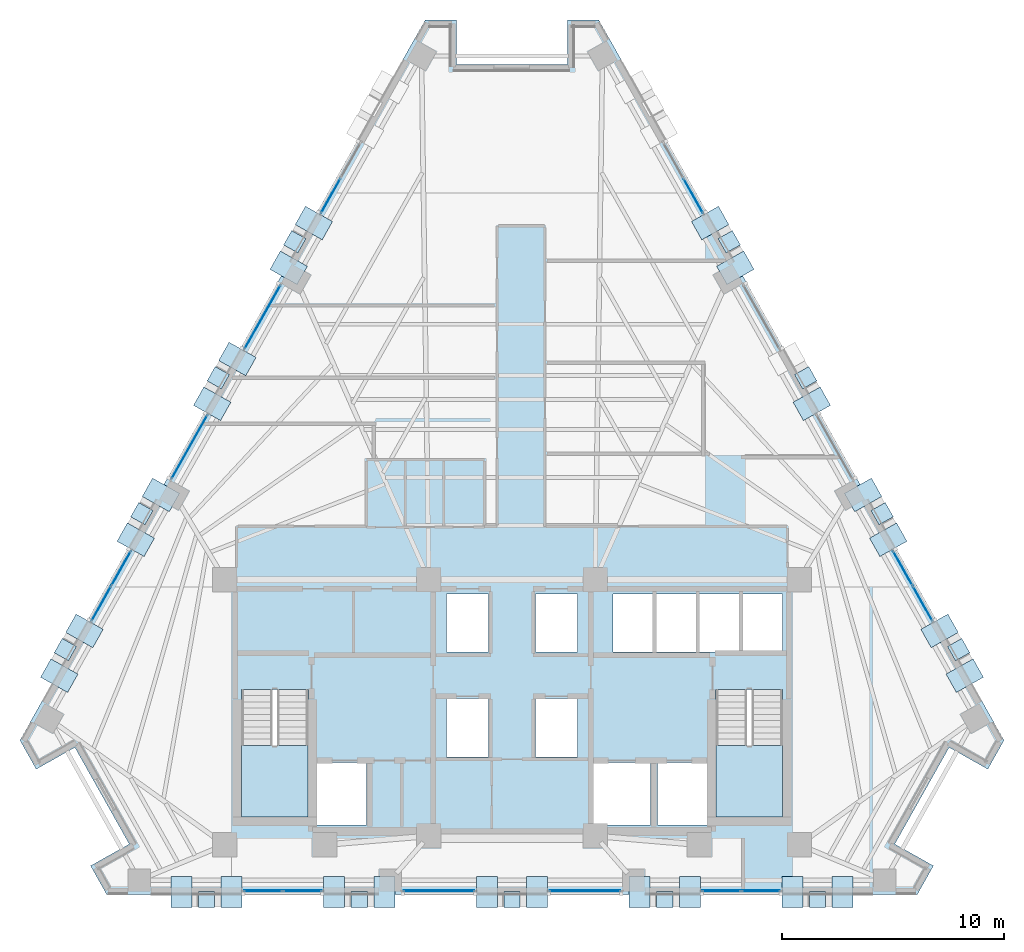
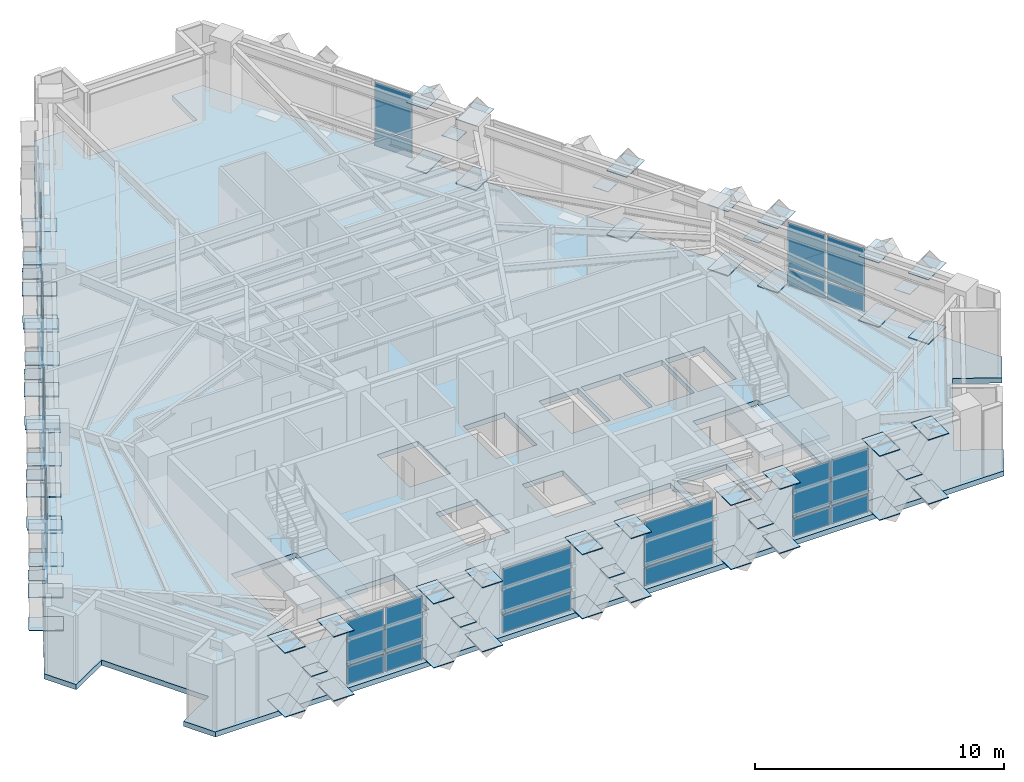
# One storey, part 6 of 14: 91 plates, 3 slabs, 12 elements without a shape of their own.
"""IFC4 building model written with IfcOpenShell, lengths in metres."""

import ifcopenshell
import ifcopenshell.guid

model = None  # the IFC model being written
_history = None  # IfcOwnerHistory: only IFC2X3 demands one
_inside = {}  # id of a spatial element -> (the spatial element, [elements in it])
_under = {}  # id of a project, library or spatial element -> (it, [spatial elements below it])
_declared = {}  # id of a project -> (the project, [libraries it declares])
_typed = {}  # id of a type object -> (the type object, [elements of that type])
_made_of = {}  # id of a material, layer set ... -> (it, [elements and type objects made of it])


def new_model(schema):
    """Start an empty IFC model of exactly this schema.

    Asked for "IFC4X3", IfcOpenShell would pick the latest addendum, in which some entities
    have other attributes; the version numbers below select the first issue.
    IFC2X3 requires an IfcOwnerHistory on every rooted entity: one is made here for all.
    """
    global model, _history
    if schema == "IFC4X3":
        model = ifcopenshell.file(schema_version=(4, 3, 0, 0))
    else:
        model = ifcopenshell.file(schema=schema)
    _inside.clear()
    _under.clear()
    _declared.clear()
    _typed.clear()
    _made_of.clear()
    _history = None
    if model.schema == "IFC2X3":
        org = make("IfcOrganization", Name="unknown")
        user = make(
            "IfcPersonAndOrganization",
            ThePerson=make("IfcPerson", FamilyName="unknown"),
            TheOrganization=org,
        )
        app = make(
            "IfcApplication",
            ApplicationDeveloper=org,
            Version="unknown",
            ApplicationFullName="unknown",
            ApplicationIdentifier="unknown",
        )
        _history = make(
            "IfcOwnerHistory",
            OwningUser=user,
            OwningApplication=app,
            ChangeAction="ADDED",
            CreationDate=0,
        )
    return model


def make(cls, **values):
    """One entity of the class cls with the attributes given. An attribute that is None is left unset."""
    return model.create_entity(
        cls, **{name: value for name, value in values.items() if value is not None}
    )


def rooted(cls, **values):
    """An entity with a GlobalId (a new one), such as an element, a storey or a relation."""
    return make(cls, GlobalId=ifcopenshell.guid.new(), OwnerHistory=_history, **values)


def si_unit(unit_type, name, prefix=None):
    """IfcSIUnit, for example si_unit("LENGTHUNIT", "METRE", prefix="MILLI")."""
    return make("IfcSIUnit", UnitType=unit_type, Prefix=prefix, Name=name)


def assignment(units):
    """IfcUnitAssignment: the units of a project."""
    return None if units is None else make("IfcUnitAssignment", Units=units)


def point(xyz):
    """IfcCartesianPoint."""
    return None if xyz is None else make("IfcCartesianPoint", Coordinates=xyz)


def direction(xyz):
    """IfcDirection."""
    return None if xyz is None else make("IfcDirection", DirectionRatios=xyz)


def frame(location, z_axis=None, x_axis=None):
    """IfcAxis2Placement3D, a coordinate frame: its origin and axes. An axis left out is left unset."""
    return make(
        "IfcAxis2Placement3D",
        Location=point(location),
        Axis=direction(z_axis),
        RefDirection=direction(x_axis),
    )


def frame_2d(location, x_axis=None):
    """IfcAxis2Placement2D, a coordinate frame in the plane: its origin and x axis."""
    return make(
        "IfcAxis2Placement2D", Location=point(location), RefDirection=direction(x_axis)
    )


def origin():
    """The frame at (0, 0, 0) with its axes left unset."""
    return frame((0.0, 0.0, 0.0))


def origin_2d():
    """The frame at (0, 0) in the plane with its x axis left unset."""
    return frame_2d((0.0, 0.0))


def place(relative_to, where):
    """IfcLocalPlacement: puts the frame where relative to a parent placement (None: the world)."""
    return make(
        "IfcLocalPlacement", PlacementRelTo=relative_to, RelativePlacement=where
    )


def context(
    kind, dimensions, precision=None, world=None, true_north=None, identifier=None
):
    """IfcGeometricRepresentationContext, for example the 3D "Model" context."""
    return make(
        "IfcGeometricRepresentationContext",
        ContextIdentifier=identifier,
        ContextType=kind,
        CoordinateSpaceDimension=dimensions,
        Precision=precision,
        WorldCoordinateSystem=world,
        TrueNorth=true_north,
    )


def subcontext(parent, identifier, kind, view, scale=None):
    """IfcGeometricRepresentationSubContext, for example "Body" below "Model"."""
    return make(
        "IfcGeometricRepresentationSubContext",
        ContextIdentifier=identifier,
        ContextType=kind,
        ParentContext=parent,
        TargetScale=scale,
        TargetView=view,
    )


def project(units=None, contexts=None):
    """IfcProject with its units and contexts."""
    return rooted(
        "IfcProject",
        Name="project",
        RepresentationContexts=contexts,
        UnitsInContext=assignment(units),
    )


def spatial(cls, under=None, at=None, **own):
    """A site, building, storey or space (cls), placed at a placement, below another one or the project."""
    s = rooted(cls, ObjectPlacement=at, **own)
    if under is not None:
        _under.setdefault(under.id(), (under, []))[1].append(s)
    return s


def polyline(points):
    """IfcPolyline through the points."""
    return make("IfcPolyline", Points=[point(p) for p in points])


def profile(cls, at=None, kind="AREA", **sizes):
    """A parametric profile (cls). Its sizes go by their IFC names, for example OverallWidth=200.0."""
    return make(cls, ProfileType=kind, Position=at, **sizes)


def rectangle(**sizes):
    """IfcRectangleProfileDef."""
    return profile("IfcRectangleProfileDef", **sizes)


def outline(outer, holes=None, kind="AREA"):
    """IfcArbitraryClosedProfileDef: a profile drawn as a closed curve; with holes, ...WithVoids."""
    if holes is None:
        return make("IfcArbitraryClosedProfileDef", ProfileType=kind, OuterCurve=outer)
    return make(
        "IfcArbitraryProfileDefWithVoids",
        ProfileType=kind,
        OuterCurve=outer,
        InnerCurves=holes,
    )


def extrude(swept, where, along, depth):
    """IfcExtrudedAreaSolid: the profile swept, set in the frame where, extruded along a direction by depth."""
    return make(
        "IfcExtrudedAreaSolid",
        SweptArea=swept,
        Position=where,
        ExtrudedDirection=direction(along),
        Depth=depth,
    )


def shape(context_of_items, identifier, shape_type, items):
    """IfcShapeRepresentation: the items that make up one representation, for example the "Body"."""
    return make(
        "IfcShapeRepresentation",
        ContextOfItems=context_of_items,
        RepresentationIdentifier=identifier,
        RepresentationType=shape_type,
        Items=items,
    )


def material(Name=None, Category=None):
    """IfcMaterial."""
    return make("IfcMaterial", Name=Name, Category=Category)


def layer(
    of_material, thickness, ventilated=None, Name=None, Category=None, Priority=None
):
    """IfcMaterialLayer: one layer of a wall or slab, of a material (None: an air gap)."""
    return make(
        "IfcMaterialLayer",
        Material=of_material,
        LayerThickness=thickness,
        IsVentilated=ventilated,
        Name=Name,
        Category=Category,
        Priority=Priority,
    )


def layer_set(layers, Name=None):
    """IfcMaterialLayerSet."""
    return make("IfcMaterialLayerSet", MaterialLayers=layers, LayerSetName=Name)


def made_of(thing, what):
    """Note that an element or type object is made of a material, layer set ...; save() writes the relation."""
    if what is not None:
        _made_of.setdefault(what.id(), (what, []))[1].append(thing)
    return thing


def type_object(cls, material=None, **own):
    """A type object (cls), such as IfcWallType, which elements share."""
    return made_of(rooted(cls, **own), material)


def element(
    cls,
    number,
    at=None,
    inside=None,
    cuts=None,
    type_object=None,
    material=None,
    context=None,
    identifier="Body",
    shape_type=None,
    held_by="IfcProductDefinitionShape",
    body=None,
    shapes=None,
    **own,
):
    """One element of the class cls, such as IfcWall. Its Tag is "e" and its number.

    at: its placement. inside: the storey or other place that contains it. cuts: it is an
    opening in that element (IfcRelVoidsElement). A single representation is given by context,
    identifier, shape_type and body (its items); several are given by shapes. held_by: the class
    of the entity that holds the representations. save() writes the other relations.
    """
    e = rooted(cls, Tag="e%d" % number, ObjectPlacement=at, **own)
    if body is not None:
        shapes = [shape(context, identifier, shape_type, body)]
    if shapes is not None:
        e.Representation = make(held_by, Representations=shapes)
    if inside is not None:
        _inside.setdefault(inside.id(), (inside, []))[1].append(e)
    if cuts is not None:
        rooted(
            "IfcRelVoidsElement", RelatingBuildingElement=cuts, RelatedOpeningElement=e
        )
    if type_object is not None:
        _typed.setdefault(type_object.id(), (type_object, []))[1].append(e)
    return made_of(e, material)


def aggregate(whole, parts):
    """IfcRelAggregates: a whole, such as a stair, and the parts it consists of."""
    return rooted("IfcRelAggregates", RelatingObject=whole, RelatedObjects=parts)


def save(model, path):
    """Write the relations noted so far, then the file.

    IfcRelAggregates (storeys below a building ...), IfcRelContainedInSpatialStructure (elements
    in a storey), IfcRelDefinesByType, IfcRelAssociatesMaterial and IfcRelDeclares: one each for
    every whole, place, type object, material and project.
    """
    for whole, parts in _under.values():
        aggregate(whole, parts)
    for where, things in _inside.values():
        rooted(
            "IfcRelContainedInSpatialStructure",
            RelatedElements=things,
            RelatingStructure=where,
        )
    for kind, things in _typed.values():
        rooted("IfcRelDefinesByType", RelatedObjects=things, RelatingType=kind)
    for what, things in _made_of.values():
        rooted("IfcRelAssociatesMaterial", RelatedObjects=things, RelatingMaterial=what)
    for by, libraries in _declared.values():
        rooted("IfcRelDeclares", RelatingContext=by, RelatedDefinitions=libraries)
    model.write(path)


model = new_model("IFC4")

# Units and contexts
model_context = context("Model", 3, precision=1e-05, world=origin(), true_north=direction((0.0, 1.0)))
body_context = subcontext(model_context, "Body", "Model", "MODEL_VIEW")
ifc_project = project(units=[si_unit("LENGTHUNIT", "METRE"), si_unit("AREAUNIT", "SQUARE_METRE"), si_unit("VOLUMEUNIT", "CUBIC_METRE"), si_unit("PLANEANGLEUNIT", "RADIAN"), si_unit("MASSUNIT", "GRAM", prefix="KILO")], contexts=[model_context])

# Site, building, storey
site_placement = place(None, origin())
site = spatial("IfcSite", under=ifc_project, at=site_placement, CompositionType="ELEMENT")
building_placement = place(site_placement, origin())
building = spatial("IfcBuilding", under=site, at=building_placement, Name="Quenlor Broadcast Tower", CompositionType="ELEMENT")
storey_placement = place(building_placement, frame((0.0, 0.0, 133.5)))
storey = spatial("IfcBuildingStorey", under=building, at=storey_placement, Name="L36", CompositionType="ELEMENT", Elevation=133.5)

# Curtain wall, plates
ifc_material_1 = material(Name="Architectural Terracotta and Low-E Glazing", Category="masonry")
curtain_wall_type = type_object("IfcCurtainWallType", Name="Unitised Terracotta Curtain Wall System Z3", PredefinedType="NOTDEFINED", material=ifc_material_1)
curtain_wall_1_placement = place(storey_placement, origin())
curtain_wall_1 = element("IfcCurtainWall", 1, at=curtain_wall_1_placement, inside=storey, type_object=curtain_wall_type, Name="L36 Curtain Wall CW3 (L36-SA-G1)", PredefinedType="NOTDEFINED")
ifc_material_2 = material(Name="Double Glazed Low-E Solar Glass", Category="glass")
ifc_layer_1 = layer(ifc_material_2, 0.028076171875)
ifc_layer_set_1 = layer_set([ifc_layer_1], Name="CW3 Double Glazed Vision Panel 28")
plate_type_1 = type_object("IfcPlateType", Name="CW3 Double Glazed Vision Panel 28", PredefinedType="CURTAIN_PANEL", material=ifc_layer_set_1)
plate_1_placement = place(storey_placement, frame((11.222900390625, -18.824951171875, 0.06982421875), z_axis=(0.0, 0.0, 1.0), x_axis=(-1.0, 0.0, 0.0)))
plate_1 = element("IfcPlate", 2, at=plate_1_placement, type_object=plate_type_1, Name="CW3 panel 1.1", PredefinedType="CURTAIN_PANEL", context=body_context, shape_type="SweptSolid", body=[
    extrude(rectangle(XDim=1.7119140625, YDim=0.028076171875, at=origin_2d()), origin(), (0.0, 0.0, 1.0), 0.844970703125),
])
plate_2_placement = place(storey_placement, frame((11.222900390625, -18.824951171875, 0.98486328125), z_axis=(0.0, 0.0, 1.0), x_axis=(-1.0, 0.0, 0.0)))
plate_2 = element("IfcPlate", 3, at=plate_2_placement, type_object=plate_type_1, Name="CW3 panel 1.2", PredefinedType="CURTAIN_PANEL", context=body_context, shape_type="SweptSolid", body=[
    extrude(rectangle(XDim=1.7119140625, YDim=0.028076171875, at=origin_2d()), origin(), (0.0, 0.0, 1.0), 2.195068359375),
])
plate_3_placement = place(storey_placement, frame((9.44091796875, -18.824951171875, 0.06982421875), z_axis=(0.0, 0.0, 1.0), x_axis=(-1.0, 0.0, 0.0)))
plate_3 = element("IfcPlate", 4, at=plate_3_placement, type_object=plate_type_1, Name="CW3 panel 2.1", PredefinedType="CURTAIN_PANEL", context=body_context, shape_type="SweptSolid", body=[
    extrude(rectangle(XDim=1.7119140625, YDim=0.028076171875, at=origin_2d()), origin(), (0.0, 0.0, 1.0), 0.844970703125),
])
plate_4_placement = place(storey_placement, frame((9.44091796875, -18.824951171875, 0.98486328125), z_axis=(0.0, 0.0, 1.0), x_axis=(-1.0, 0.0, 0.0)))
plate_4 = element("IfcPlate", 5, at=plate_4_placement, type_object=plate_type_1, Name="CW3 panel 2.2", PredefinedType="CURTAIN_PANEL", context=body_context, shape_type="SweptSolid", body=[
    extrude(rectangle(XDim=1.7119140625, YDim=0.028076171875, at=origin_2d()), origin(), (0.0, 0.0, 1.0), 2.195068359375),
])
aggregate(curtain_wall_1, [plate_1, plate_2, plate_3, plate_4])

curtain_wall_2_placement = place(storey_placement, origin())
curtain_wall_2 = element("IfcCurtainWall", 6, at=curtain_wall_2_placement, inside=storey, type_object=curtain_wall_type, Name="L36 Curtain Wall CW3 (L36-SC-G1)", PredefinedType="NOTDEFINED")
plate_5_placement = place(storey_placement, frame((-9.44091796875, -18.824951171875, 0.06982421875), z_axis=(0.0, 0.0, 1.0), x_axis=(-1.0, 0.0, 0.0)))
plate_5 = element("IfcPlate", 7, at=plate_5_placement, type_object=plate_type_1, Name="CW3 panel 1.1", PredefinedType="CURTAIN_PANEL", context=body_context, shape_type="SweptSolid", body=[
    extrude(rectangle(XDim=1.7119140625, YDim=0.028076171875, at=origin_2d()), origin(), (0.0, 0.0, 1.0), 0.844970703125),
])
plate_6_placement = place(storey_placement, frame((-9.44091796875, -18.824951171875, 0.98486328125), z_axis=(0.0, 0.0, 1.0), x_axis=(-1.0, 0.0, 0.0)))
plate_6 = element("IfcPlate", 8, at=plate_6_placement, type_object=plate_type_1, Name="CW3 panel 1.2", PredefinedType="CURTAIN_PANEL", context=body_context, shape_type="SweptSolid", body=[
    extrude(rectangle(XDim=1.7119140625, YDim=0.028076171875, at=origin_2d()), origin(), (0.0, 0.0, 1.0), 2.195068359375),
])
plate_7_placement = place(storey_placement, frame((-11.222900390625, -18.824951171875, 0.06982421875), z_axis=(0.0, 0.0, 1.0), x_axis=(-1.0, 0.0, 0.0)))
plate_7 = element("IfcPlate", 9, at=plate_7_placement, type_object=plate_type_1, Name="CW3 panel 2.1", PredefinedType="CURTAIN_PANEL", context=body_context, shape_type="SweptSolid", body=[
    extrude(rectangle(XDim=1.7119140625, YDim=0.028076171875, at=origin_2d()), origin(), (0.0, 0.0, 1.0), 0.844970703125),
])
plate_8_placement = place(storey_placement, frame((-11.222900390625, -18.824951171875, 0.98486328125), z_axis=(0.0, 0.0, 1.0), x_axis=(-1.0, 0.0, 0.0)))
plate_8 = element("IfcPlate", 10, at=plate_8_placement, type_object=plate_type_1, Name="CW3 panel 2.2", PredefinedType="CURTAIN_PANEL", context=body_context, shape_type="SweptSolid", body=[
    extrude(rectangle(XDim=1.7119140625, YDim=0.028076171875, at=origin_2d()), origin(), (0.0, 0.0, 1.0), 2.195068359375),
])
aggregate(curtain_wall_2, [plate_5, plate_6, plate_7, plate_8])

curtain_wall_3_placement = place(storey_placement, origin())
curtain_wall_3 = element("IfcCurtainWall", 11, at=curtain_wall_3_placement, inside=storey, type_object=curtain_wall_type, Name="L36 Curtain Wall CW3 (L36-S-G1)", PredefinedType="NOTDEFINED")
plate_9_placement = place(storey_placement, frame((3.2939453125, -18.824951171875, 0.06982421875), z_axis=(0.0, 0.0, 1.0), x_axis=(-1.0, 0.0, 0.0)))
plate_9 = element("IfcPlate", 12, at=plate_9_placement, type_object=plate_type_1, Name="CW3 panel 1.1", PredefinedType="CURTAIN_PANEL", context=body_context, shape_type="SweptSolid", body=[
    extrude(rectangle(XDim=3.194091796875, YDim=0.028076171875, at=origin_2d()), origin(), (0.0, 0.0, 1.0), 0.844970703125),
])
plate_10_placement = place(storey_placement, frame((3.2939453125, -18.824951171875, 0.98486328125), z_axis=(0.0, 0.0, 1.0), x_axis=(-1.0, 0.0, 0.0)))
plate_10 = element("IfcPlate", 13, at=plate_10_placement, type_object=plate_type_1, Name="CW3 panel 1.2", PredefinedType="CURTAIN_PANEL", context=body_context, shape_type="SweptSolid", body=[
    extrude(rectangle(XDim=3.194091796875, YDim=0.028076171875, at=origin_2d()), origin(), (0.0, 0.0, 1.0), 2.195068359375),
])
aggregate(curtain_wall_3, [plate_9, plate_10])

curtain_wall_4_placement = place(storey_placement, origin())
curtain_wall_4 = element("IfcCurtainWall", 14, at=curtain_wall_4_placement, inside=storey, type_object=curtain_wall_type, Name="L36 Curtain Wall CW3 (L36-S-G2)", PredefinedType="NOTDEFINED")
plate_11_placement = place(storey_placement, frame((-3.2939453125, -18.824951171875, 0.06982421875), z_axis=(0.0, 0.0, 1.0), x_axis=(-1.0, 0.0, 0.0)))
plate_11 = element("IfcPlate", 15, at=plate_11_placement, type_object=plate_type_1, Name="CW3 panel 1.1", PredefinedType="CURTAIN_PANEL", context=body_context, shape_type="SweptSolid", body=[
    extrude(rectangle(XDim=3.194091796875, YDim=0.028076171875, at=origin_2d()), origin(), (0.0, 0.0, 1.0), 0.844970703125),
])
plate_12_placement = place(storey_placement, frame((-3.2939453125, -18.824951171875, 0.98486328125), z_axis=(0.0, 0.0, 1.0), x_axis=(-1.0, 0.0, 0.0)))
plate_12 = element("IfcPlate", 16, at=plate_12_placement, type_object=plate_type_1, Name="CW3 panel 1.2", PredefinedType="CURTAIN_PANEL", context=body_context, shape_type="SweptSolid", body=[
    extrude(rectangle(XDim=3.194091796875, YDim=0.028076171875, at=origin_2d()), origin(), (0.0, 0.0, 1.0), 2.195068359375),
])
aggregate(curtain_wall_4, [plate_11, plate_12])

curtain_wall_5_placement = place(storey_placement, origin())
curtain_wall_5 = element("IfcCurtainWall", 17, at=curtain_wall_5_placement, inside=storey, type_object=curtain_wall_type, Name="L36 Curtain Wall CW3 (L36-NEA-G1)", PredefinedType="NOTDEFINED")
plate_13_placement = place(storey_placement, frame((8.174560546875, 12.5107421875, 0.06982421875), z_axis=(0.0, 0.0, 1.0), x_axis=(0.490270139949, -0.871570530637, 0.0)))
plate_13 = element("IfcPlate", 18, at=plate_13_placement, type_object=plate_type_1, Name="CW3 panel 2.1", PredefinedType="CURTAIN_PANEL", context=body_context, shape_type="SweptSolid", body=[
    extrude(rectangle(XDim=1.761962890625, YDim=0.028076171875, at=origin_2d()), origin(), (0.0, 0.0, 1.0), 0.844970703125),
])
plate_14_placement = place(storey_placement, frame((8.174560546875, 12.5107421875, 0.98486328125), z_axis=(0.0, 0.0, 1.0), x_axis=(0.490270139949, -0.871570530637, 0.0)))
plate_14 = element("IfcPlate", 19, at=plate_14_placement, type_object=plate_type_1, Name="CW3 panel 2.2", PredefinedType="CURTAIN_PANEL", context=body_context, shape_type="SweptSolid", body=[
    extrude(rectangle(XDim=1.761962890625, YDim=0.028076171875, at=origin_2d()), origin(), (0.0, 0.0, 1.0), 2.195068359375),
])
aggregate(curtain_wall_5, [plate_13, plate_14])

curtain_wall_6_placement = place(storey_placement, origin())
curtain_wall_6 = element("IfcCurtainWall", 20, at=curtain_wall_6_placement, inside=storey, type_object=curtain_wall_type, Name="L36 Curtain Wall CW3 (L36-NEC-G1)", PredefinedType="NOTDEFINED")
plate_15_placement = place(storey_placement, frame((17.62060546875, -4.2822265625, 0.06982421875), z_axis=(0.0, 0.0, 1.0), x_axis=(0.490258696743, -0.871576967495, 0.0)))
plate_15 = element("IfcPlate", 21, at=plate_15_placement, type_object=plate_type_1, Name="CW3 panel 1.1", PredefinedType="CURTAIN_PANEL", context=body_context, shape_type="SweptSolid", body=[
    extrude(rectangle(XDim=1.761962890625, YDim=0.028076171875, at=origin_2d()), origin(), (0.0, 0.0, 1.0), 0.844970703125),
])
plate_16_placement = place(storey_placement, frame((17.62060546875, -4.2822265625, 0.98486328125), z_axis=(0.0, 0.0, 1.0), x_axis=(0.490258696743, -0.871576967495, 0.0)))
plate_16 = element("IfcPlate", 22, at=plate_16_placement, type_object=plate_type_1, Name="CW3 panel 1.2", PredefinedType="CURTAIN_PANEL", context=body_context, shape_type="SweptSolid", body=[
    extrude(rectangle(XDim=1.761962890625, YDim=0.028076171875, at=origin_2d()), origin(), (0.0, 0.0, 1.0), 2.195068359375),
])
plate_17_placement = place(storey_placement, frame((18.518798828125, -5.879150390625, 0.06982421875), z_axis=(0.0, 0.0, 1.0), x_axis=(0.490258696743, -0.871576967495, 0.0)))
plate_17 = element("IfcPlate", 23, at=plate_17_placement, type_object=plate_type_1, Name="CW3 panel 2.1", PredefinedType="CURTAIN_PANEL", context=body_context, shape_type="SweptSolid", body=[
    extrude(rectangle(XDim=1.761962890625, YDim=0.028076171875, at=origin_2d()), origin(), (0.0, 0.0, 1.0), 0.844970703125),
])
plate_18_placement = place(storey_placement, frame((18.518798828125, -5.879150390625, 0.98486328125), z_axis=(0.0, 0.0, 1.0), x_axis=(0.490258696743, -0.871576967495, 0.0)))
plate_18 = element("IfcPlate", 24, at=plate_18_placement, type_object=plate_type_1, Name="CW3 panel 2.2", PredefinedType="CURTAIN_PANEL", context=body_context, shape_type="SweptSolid", body=[
    extrude(rectangle(XDim=1.761962890625, YDim=0.028076171875, at=origin_2d()), origin(), (0.0, 0.0, 1.0), 2.195068359375),
])
aggregate(curtain_wall_6, [plate_15, plate_16, plate_17, plate_18])

curtain_wall_7_placement = place(storey_placement, origin())
curtain_wall_7 = element("IfcCurtainWall", 25, at=curtain_wall_7_placement, inside=storey, type_object=curtain_wall_type, Name="L36 Curtain Wall CW3 (L36-NWA-G1)", PredefinedType="NOTDEFINED")
plate_19_placement = place(storey_placement, frame((-18.518798828125, -5.879150390625, 0.06982421875), z_axis=(0.0, 0.0, 1.0), x_axis=(0.490258696743, 0.871576967495, 0.0)))
plate_19 = element("IfcPlate", 26, at=plate_19_placement, type_object=plate_type_1, Name="CW3 panel 1.1", PredefinedType="CURTAIN_PANEL", context=body_context, shape_type="SweptSolid", body=[
    extrude(rectangle(XDim=1.761962890625, YDim=0.028076171875, at=origin_2d()), origin(), (0.0, 0.0, 1.0), 0.844970703125),
])
plate_20_placement = place(storey_placement, frame((-18.518798828125, -5.879150390625, 0.98486328125), z_axis=(0.0, 0.0, 1.0), x_axis=(0.490258696743, 0.871576967495, 0.0)))
plate_20 = element("IfcPlate", 27, at=plate_20_placement, type_object=plate_type_1, Name="CW3 panel 1.2", PredefinedType="CURTAIN_PANEL", context=body_context, shape_type="SweptSolid", body=[
    extrude(rectangle(XDim=1.761962890625, YDim=0.028076171875, at=origin_2d()), origin(), (0.0, 0.0, 1.0), 2.195068359375),
])
plate_21_placement = place(storey_placement, frame((-17.62060546875, -4.2822265625, 0.06982421875), z_axis=(0.0, 0.0, 1.0), x_axis=(0.490258696743, 0.871576967495, 0.0)))
plate_21 = element("IfcPlate", 28, at=plate_21_placement, type_object=plate_type_1, Name="CW3 panel 2.1", PredefinedType="CURTAIN_PANEL", context=body_context, shape_type="SweptSolid", body=[
    extrude(rectangle(XDim=1.761962890625, YDim=0.028076171875, at=origin_2d()), origin(), (0.0, 0.0, 1.0), 0.844970703125),
])
plate_22_placement = place(storey_placement, frame((-17.62060546875, -4.2822265625, 0.98486328125), z_axis=(0.0, 0.0, 1.0), x_axis=(0.490258696743, 0.871576967495, 0.0)))
plate_22 = element("IfcPlate", 29, at=plate_22_placement, type_object=plate_type_1, Name="CW3 panel 2.2", PredefinedType="CURTAIN_PANEL", context=body_context, shape_type="SweptSolid", body=[
    extrude(rectangle(XDim=1.761962890625, YDim=0.028076171875, at=origin_2d()), origin(), (0.0, 0.0, 1.0), 2.195068359375),
])
aggregate(curtain_wall_7, [plate_19, plate_20, plate_21, plate_22])

curtain_wall_8_placement = place(storey_placement, origin())
curtain_wall_8 = element("IfcCurtainWall", 30, at=curtain_wall_8_placement, inside=storey, type_object=curtain_wall_type, Name="L36 Curtain Wall CW3 (L36-NWC-G1)", PredefinedType="NOTDEFINED")
plate_23_placement = place(storey_placement, frame((-8.174560546875, 12.5107421875, 0.06982421875), z_axis=(0.0, 0.0, 1.0), x_axis=(0.490270139949, 0.871570530637, 0.0)))
plate_23 = element("IfcPlate", 31, at=plate_23_placement, type_object=plate_type_1, Name="CW3 panel 1.1", PredefinedType="CURTAIN_PANEL", context=body_context, shape_type="SweptSolid", body=[
    extrude(rectangle(XDim=1.761962890625, YDim=0.028076171875, at=origin_2d()), origin(), (0.0, 0.0, 1.0), 0.844970703125),
])
plate_24_placement = place(storey_placement, frame((-8.174560546875, 12.5107421875, 0.98486328125), z_axis=(0.0, 0.0, 1.0), x_axis=(0.490270139949, 0.871570530637, 0.0)))
plate_24 = element("IfcPlate", 32, at=plate_24_placement, type_object=plate_type_1, Name="CW3 panel 1.2", PredefinedType="CURTAIN_PANEL", context=body_context, shape_type="SweptSolid", body=[
    extrude(rectangle(XDim=1.761962890625, YDim=0.028076171875, at=origin_2d()), origin(), (0.0, 0.0, 1.0), 2.195068359375),
])
aggregate(curtain_wall_8, [plate_23, plate_24])

curtain_wall_9_placement = place(storey_placement, origin())
curtain_wall_9 = element("IfcCurtainWall", 33, at=curtain_wall_9_placement, inside=storey, type_object=curtain_wall_type, Name="L36 Curtain Wall CW3 (L36-NW-G1)", PredefinedType="NOTDEFINED")
plate_25_placement = place(storey_placement, frame((-14.544677734375, 1.18603515625, 0.06982421875), z_axis=(0.0, 0.0, 1.0), x_axis=(0.490268180048, 0.871571633105, 0.0)))
plate_25 = element("IfcPlate", 34, at=plate_25_placement, type_object=plate_type_1, Name="CW3 panel 1.1", PredefinedType="CURTAIN_PANEL", context=body_context, shape_type="SweptSolid", body=[
    extrude(rectangle(XDim=3.2802734375, YDim=0.028076171875, at=origin_2d()), origin(), (0.0, 0.0, 1.0), 0.844970703125),
])
plate_26_placement = place(storey_placement, frame((-14.544677734375, 1.18603515625, 0.98486328125), z_axis=(0.0, 0.0, 1.0), x_axis=(0.490268180048, 0.871571633105, 0.0)))
plate_26 = element("IfcPlate", 35, at=plate_26_placement, type_object=plate_type_1, Name="CW3 panel 1.2", PredefinedType="CURTAIN_PANEL", context=body_context, shape_type="SweptSolid", body=[
    extrude(rectangle(XDim=3.2802734375, YDim=0.028076171875, at=origin_2d()), origin(), (0.0, 0.0, 1.0), 2.195068359375),
])
aggregate(curtain_wall_9, [plate_25, plate_26])

curtain_wall_10_placement = place(storey_placement, origin())
curtain_wall_10 = element("IfcCurtainWall", 36, at=curtain_wall_10_placement, inside=storey, type_object=curtain_wall_type, Name="L36 Curtain Wall CW3 (L36-NW-G2)", PredefinedType="NOTDEFINED")
plate_27_placement = place(storey_placement, frame((-11.250244140625, 7.04248046875, 0.06982421875), z_axis=(0.0, 0.0, 1.0), x_axis=(0.490255687418, 0.871578660222, 0.0)))
plate_27 = element("IfcPlate", 37, at=plate_27_placement, type_object=plate_type_1, Name="CW3 panel 1.1", PredefinedType="CURTAIN_PANEL", context=body_context, shape_type="SweptSolid", body=[
    extrude(rectangle(XDim=3.280517578125, YDim=0.028076171875, at=origin_2d()), origin(), (0.0, 0.0, 1.0), 0.844970703125),
])
plate_28_placement = place(storey_placement, frame((-11.250244140625, 7.04248046875, 0.98486328125), z_axis=(0.0, 0.0, 1.0), x_axis=(0.490255687418, 0.871578660222, 0.0)))
plate_28 = element("IfcPlate", 38, at=plate_28_placement, type_object=plate_type_1, Name="CW3 panel 1.2", PredefinedType="CURTAIN_PANEL", context=body_context, shape_type="SweptSolid", body=[
    extrude(rectangle(XDim=3.280517578125, YDim=0.028076171875, at=origin_2d()), origin(), (0.0, 0.0, 1.0), 2.195068359375),
])
aggregate(curtain_wall_10, [plate_27, plate_28])

# Plates
ifc_material_3 = material(Name="Steel S355", Category="steel")
ifc_layer_2 = layer(ifc_material_3, 0.028076171875)
ifc_layer_set_2 = layer_set([ifc_layer_2], Name="Perimeter Lattice Node Steel S355 Cap Plate 740x740x28")
plate_type_2 = type_object("IfcPlateType", Name="Perimeter Lattice Node Steel S355 Cap Plate 740x740x28", PredefinedType="USERDEFINED", material=ifc_layer_set_2)
for number, where, z_axis, x_axis, name in (
    (39, (13.77587890625, -19.219970703125, 1.61572265625), (0.0, 0.0, 1.0), (-1.0, 0.0, 0.0), "L36 Diamond Lattice Crossing Node S-C1"),
    (40, (6.887939453125, -19.219970703125, 1.61572265625), (0.0, 0.0, 1.0), (-1.0, 0.0, 0.0), "L36 Diamond Lattice Crossing Node S-C2"),
    (41, (0.0, -19.219970703125, 1.61572265625), (0.0, 0.0, 1.0), (-1.0, 0.0, 0.0), "L36 Diamond Lattice Crossing Node S-C3"),
    (42, (-6.887939453125, -19.219970703125, 1.61572265625), (0.0, 0.0, 1.0), (-1.0, 0.0, 0.0), "L36 Diamond Lattice Crossing Node S-C4"),
    (43, (-13.77587890625, -19.219970703125, 1.61572265625), (0.0, 0.0, 1.0), (-1.0, 0.0, 0.0), "L36 Diamond Lattice Crossing Node S-C5"),
    (44, (9.793701171875, 10.437744140625, 1.61572265625), (0.0, 0.0, 1.0), (0.490295412055, -0.871556314255, 0.0), "L36 Diamond Lattice Crossing Node NE-C2"),
    (45, (13.24169921875, 4.307861328125, 1.61572265625), (0.0, 0.0, 1.0), (0.490295412055, -0.871556314255, 0.0), "L36 Diamond Lattice Crossing Node NE-C3"),
    (46, (16.689697265625, -1.822021484375, 1.61572265625), (0.0, 0.0, 1.0), (0.490295412055, -0.871556314255, 0.0), "L36 Diamond Lattice Crossing Node NE-C4"),
    (47, (20.137939453125, -7.951904296875, 1.61572265625), (0.0, 0.0, 1.0), (0.490295412055, -0.871556314255, 0.0), "L36 Diamond Lattice Crossing Node NE-C5"),
    (48, (-20.137939453125, -7.951904296875, 1.61572265625), (0.0, 0.0, 1.0), (0.490295412055, 0.871556314255, 0.0), "L36 Diamond Lattice Crossing Node NW-C1"),
    (49, (-16.689697265625, -1.822021484375, 1.61572265625), (0.0, 0.0, 1.0), (0.490295412055, 0.871556314255, 0.0), "L36 Diamond Lattice Crossing Node NW-C2"),
    (50, (-13.24169921875, 4.307861328125, 1.61572265625), (0.0, 0.0, 1.0), (0.490295412055, 0.871556314255, 0.0), "L36 Diamond Lattice Crossing Node NW-C3"),
    (51, (-9.793701171875, 10.437744140625, 1.61572265625), (0.0, 0.0, 1.0), (0.490295412055, 0.871556314255, 0.0), "L36 Diamond Lattice Crossing Node NW-C4"),
):
    element("IfcPlate", number, at=place(storey_placement, frame(where, z_axis=z_axis, x_axis=x_axis)), inside=storey, type_object=plate_type_2, Name=name, ObjectType="CAP PLATE", PredefinedType="USERDEFINED", context=body_context, shape_type="SweptSolid", body=[
        extrude(rectangle(XDim=0.739990234375, YDim=0.739990234375, at=origin_2d()), origin(), (0.0, 0.0, 1.0), 0.028076171875),
    ])

# Stair, slab
ifc_material_4 = material(Name="Precast concrete C40/50", Category="concrete")
stair_type = type_object("IfcStairType", Name="Precast Concrete C40/50 Dogleg Stair H350", PredefinedType="HALF_TURN_STAIR", material=ifc_material_4)
stair_1_placement = place(storey_placement, origin())
stair_1 = element("IfcStair", 52, at=stair_1_placement, inside=storey, type_object=stair_type, Name="L36 West Core Fire-Isolated Exit Stair ST-1", PredefinedType="HALF_TURN_STAIR")
ifc_material_5 = material(Name="Precast concrete C40/50", Category="concrete")
ifc_layer_3 = layer(ifc_material_5, 0.199951171875)
ifc_layer_set_3 = layer_set([ifc_layer_3], Name="Precast Concrete C40/50 Stair Landing Slab 200")
slab_type_1 = type_object("IfcSlabType", Name="Precast Concrete C40/50 Stair Landing Slab 200", PredefinedType="LANDING", material=ifc_layer_set_3)
slab_1_placement = place(storey_placement, frame((0.0, 0.0, 1.550048828125)))
slab_1 = element("IfcSlab", 53, at=slab_1_placement, type_object=slab_type_1, Name="ST-1 landing 1", PredefinedType="LANDING", context=body_context, shape_type="SweptSolid", body=[
    extrude(outline(polyline([(-12.199951171875, -12.27001953125), (-12.199951171875, -15.5), (-9.199951171875, -15.5), (-9.199951171875, -12.27001953125), (-12.199951171875, -12.27001953125)])), origin(), (0.0, 0.0, 1.0), 0.199951171875),
])
aggregate(stair_1, [slab_1])

stair_2_placement = place(storey_placement, origin())
stair_2 = element("IfcStair", 54, at=stair_2_placement, inside=storey, type_object=stair_type, Name="L36 East Core Fire-Isolated Exit Stair ST-2", PredefinedType="HALF_TURN_STAIR")
slab_2_placement = place(storey_placement, frame((0.0, 0.0, 1.550048828125)))
slab_2 = element("IfcSlab", 55, at=slab_2_placement, type_object=slab_type_1, Name="ST-2 landing 1", PredefinedType="LANDING", context=body_context, shape_type="SweptSolid", body=[
    extrude(outline(polyline([(9.199951171875, -12.27001953125), (9.199951171875, -15.5), (12.199951171875, -15.5), (12.199951171875, -12.27001953125), (9.199951171875, -12.27001953125)])), origin(), (0.0, 0.0, 1.0), 0.199951171875),
])
aggregate(stair_2, [slab_2])

# Slab
ifc_material_6 = material(Name="Concrete C40/50", Category="concrete")
ifc_layer_4 = layer(ifc_material_6, 0.25)
ifc_layer_set_4 = layer_set([ifc_layer_4], Name="Tower Composite Concrete C40/50 Slab 250")
slab_type_2 = type_object("IfcSlabType", Name="Tower Composite Concrete C40/50 Slab 250", PredefinedType="FLOOR", material=ifc_layer_set_4)
slab_3_placement = place(storey_placement, frame((0.0, 0.0, -0.25)))
element("IfcSlab", 56, at=slab_3_placement, inside=storey, type_object=slab_type_2, Name="L36 Structural Floor Slab", PredefinedType="FLOOR", context=body_context, shape_type="SweptSolid", body=[
    extrude(outline(polyline([(18.27001953125, -19.0), (19.001708984375, -17.698974609375), (17.2587890625, -16.718505859375), (19.7099609375, -12.360595703125), (21.453125, -13.341064453125), (22.18505859375, -12.0400390625), (3.9150390625, 20.43994140625), (2.5, 20.43994140625), (2.5, 18.43994140625), (-2.5, 18.43994140625), (-2.5, 20.43994140625), (-3.9150390625, 20.43994140625), (-22.18505859375, -12.0400390625), (-21.453125, -13.341064453125), (-19.7099609375, -12.360595703125), (-17.2587890625, -16.718505859375), (-19.001708984375, -17.698974609375), (-18.27001953125, -19.0), (18.27001953125, -19.0)]), holes=[polyline([(-12.199951171875, -9.758056640625), (-12.199951171875, -15.5), (-9.199951171875, -15.5), (-9.199951171875, -9.758056640625), (-12.199951171875, -9.758056640625)]), polyline([(9.199951171875, -9.758056640625), (9.199951171875, -15.5), (12.199951171875, -15.5), (12.199951171875, -9.758056640625), (9.199951171875, -9.758056640625)]), polyline([(-2.949951171875, -8.050048828125), (-1.050048828125, -8.050048828125), (-1.050048828125, -5.449951171875), (-2.949951171875, -5.449951171875), (-2.949951171875, -8.050048828125)]), polyline([(1.050048828125, -8.050048828125), (2.949951171875, -8.050048828125), (2.949951171875, -5.449951171875), (1.050048828125, -5.449951171875), (1.050048828125, -8.050048828125)]), polyline([(-2.949951171875, -12.800048828125), (-1.050048828125, -12.800048828125), (-1.050048828125, -10.14990234375), (-2.949951171875, -10.14990234375), (-2.949951171875, -12.800048828125)]), polyline([(1.050048828125, -12.800048828125), (2.949951171875, -12.800048828125), (2.949951171875, -10.14990234375), (1.050048828125, -10.14990234375), (1.050048828125, -12.800048828125)]), polyline([(4.550048828125, -8.050048828125), (6.35009765625, -8.050048828125), (6.35009765625, -5.449951171875), (4.550048828125, -5.449951171875), (4.550048828125, -8.050048828125)]), polyline([(6.5, -8.050048828125), (8.300048828125, -8.050048828125), (8.300048828125, -5.449951171875), (6.5, -5.449951171875), (6.5, -8.050048828125)]), polyline([(8.449951171875, -8.050048828125), (10.25, -8.050048828125), (10.25, -5.449951171875), (8.449951171875, -5.449951171875), (8.449951171875, -8.050048828125)]), polyline([(10.39990234375, -8.050048828125), (12.199951171875, -8.050048828125), (12.199951171875, -5.449951171875), (10.39990234375, -5.449951171875), (10.39990234375, -8.050048828125)]), polyline([(-8.85009765625, -15.85009765625), (-6.550048828125, -15.85009765625), (-6.550048828125, -13.050048828125), (-8.85009765625, -13.050048828125), (-8.85009765625, -15.85009765625)]), polyline([(6.550048828125, -15.85009765625), (8.85009765625, -15.85009765625), (8.85009765625, -13.050048828125), (6.550048828125, -13.050048828125), (6.550048828125, -15.85009765625)]), polyline([(3.64990234375, -15.85009765625), (6.25, -15.85009765625), (6.25, -13.050048828125), (3.64990234375, -13.050048828125), (3.64990234375, -15.85009765625)])]), origin(), (0.0, 0.0, 1.0), 0.25),
])

# Plates
ifc_material_7 = material(Name="Steel S355", Category="steel")
ifc_layer_5 = layer(ifc_material_7, 0.035888671875)
ifc_layer_set_5 = layer_set([ifc_layer_5], Name="Transfer Truss Steel S355 Gusset Node Plate 1400x950x36")
plate_type_3 = type_object("IfcPlateType", Name="Transfer Truss Steel S355 Gusset Node Plate 1400x950x36", PredefinedType="SHEET", material=ifc_layer_set_5)
for number, where, z_axis, x_axis, name in (
    (57, (14.91015625, -18.885009765625, 0.0419921875), (0.0, 0.0, 1.0), (0.0, -1.0, 0.0), "L36 Lattice Tie Gusset Node S-B1"),
    (58, (12.641845703125, -18.885009765625, 3.18212890625), (0.0, 0.0, 1.0), (0.0, -1.0, 0.0), "L36 Lattice Tie Gusset Node S-T2"),
    (59, (12.641845703125, -18.885009765625, 0.0419921875), (0.0, 0.0, 1.0), (0.0, -1.0, 0.0), "L36 Lattice Tie Gusset Node S-B2"),
    (60, (14.91015625, -18.885009765625, 3.18212890625), (0.0, 0.0, 1.0), (0.0, -1.0, 0.0), "L36 Lattice Tie Gusset Node S-T1"),
    (61, (8.022216796875, -18.885009765625, 0.0419921875), (0.0, 0.0, 1.0), (0.0, -1.0, 0.0), "L36 Lattice Tie Gusset Node S-B4"),
    (62, (5.75390625, -18.885009765625, 3.18212890625), (0.0, 0.0, 1.0), (0.0, -1.0, 0.0), "L36 Lattice Tie Gusset Node S-T5"),
    (63, (5.75390625, -18.885009765625, 0.0419921875), (0.0, 0.0, 1.0), (0.0, -1.0, 0.0), "L36 Lattice Tie Gusset Node S-B5"),
    (64, (8.022216796875, -18.885009765625, 3.18212890625), (0.0, 0.0, 1.0), (0.0, -1.0, 0.0), "L36 Lattice Tie Gusset Node S-T4"),
    (65, (1.13427734375, -18.885009765625, 0.0419921875), (0.0, 0.0, 1.0), (0.0, -1.0, 0.0), "L36 Lattice Tie Gusset Node S-B7"),
    (66, (-1.13427734375, -18.885009765625, 3.18212890625), (0.0, 0.0, 1.0), (0.0, -1.0, 0.0), "L36 Lattice Tie Gusset Node S-T8"),
    (67, (-1.13427734375, -18.885009765625, 0.0419921875), (0.0, 0.0, 1.0), (0.0, -1.0, 0.0), "L36 Lattice Tie Gusset Node S-B8"),
    (68, (1.13427734375, -18.885009765625, 3.18212890625), (0.0, 0.0, 1.0), (0.0, -1.0, 0.0), "L36 Lattice Tie Gusset Node S-T7"),
    (69, (-5.75390625, -18.885009765625, 0.0419921875), (0.0, 0.0, 1.0), (0.0, -1.0, 0.0), "L36 Lattice Tie Gusset Node S-B10"),
    (70, (-8.022216796875, -18.885009765625, 3.18212890625), (0.0, 0.0, 1.0), (0.0, -1.0, 0.0), "L36 Lattice Tie Gusset Node S-T11"),
    (71, (-8.022216796875, -18.885009765625, 0.0419921875), (0.0, 0.0, 1.0), (0.0, -1.0, 0.0), "L36 Lattice Tie Gusset Node S-B11"),
    (72, (-5.75390625, -18.885009765625, 3.18212890625), (0.0, 0.0, 1.0), (0.0, -1.0, 0.0), "L36 Lattice Tie Gusset Node S-T10"),
    (73, (-12.641845703125, -18.885009765625, 0.0419921875), (0.0, 0.0, 1.0), (0.0, -1.0, 0.0), "L36 Lattice Tie Gusset Node S-B13"),
    (74, (-14.91015625, -18.885009765625, 3.18212890625), (0.0, 0.0, 1.0), (0.0, -1.0, 0.0), "L36 Lattice Tie Gusset Node S-T14"),
    (75, (-14.91015625, -18.885009765625, 0.0419921875), (0.0, 0.0, 1.0), (0.0, -1.0, 0.0), "L36 Lattice Tie Gusset Node S-B14"),
    (76, (-12.641845703125, -18.885009765625, 3.18212890625), (0.0, 0.0, 1.0), (0.0, -1.0, 0.0), "L36 Lattice Tie Gusset Node S-T13"),
    (77, (8.933837890625, 11.282958984375, 0.0419921875), (0.0, 0.0, 1.0), (0.871556314255, 0.490295412055, 0.0), "L36 Lattice Tie Gusset Node NE-B4"),
    (78, (10.069580078125, 9.26416015625, 3.18212890625), (0.0, 0.0, 1.0), (0.871556314255, 0.490295412055, 0.0), "L36 Lattice Tie Gusset Node NE-T5"),
    (79, (10.069580078125, 9.26416015625, 0.0419921875), (0.0, 0.0, 1.0), (0.871556314255, 0.490295412055, 0.0), "L36 Lattice Tie Gusset Node NE-B5"),
    (80, (8.933837890625, 11.282958984375, 3.18212890625), (0.0, 0.0, 1.0), (0.871556314255, 0.490295412055, 0.0), "L36 Lattice Tie Gusset Node NE-T4"),
    (81, (13.517578125, 3.13427734375, 3.18212890625), (0.0, 0.0, 1.0), (0.871556314255, 0.490295412055, 0.0), "L36 Lattice Tie Gusset Node NE-T8"),
    (82, (13.517578125, 3.13427734375, 0.0419921875), (0.0, 0.0, 1.0), (0.871556314255, 0.490295412055, 0.0), "L36 Lattice Tie Gusset Node NE-B8"),
    (83, (15.830078125, -0.976806640625, 0.0419921875), (0.0, 0.0, 1.0), (0.871556314255, 0.490295412055, 0.0), "L36 Lattice Tie Gusset Node NE-B10"),
    (84, (16.9658203125, -2.99560546875, 3.18212890625), (0.0, 0.0, 1.0), (0.871556314255, 0.490295412055, 0.0), "L36 Lattice Tie Gusset Node NE-T11"),
    (85, (16.9658203125, -2.99560546875, 0.0419921875), (0.0, 0.0, 1.0), (0.871556314255, 0.490295412055, 0.0), "L36 Lattice Tie Gusset Node NE-B11"),
    (86, (15.830078125, -0.976806640625, 3.18212890625), (0.0, 0.0, 1.0), (0.871556314255, 0.490295412055, 0.0), "L36 Lattice Tie Gusset Node NE-T10"),
    (87, (19.2783203125, -7.10693359375, 0.0419921875), (0.0, 0.0, 1.0), (0.871556314255, 0.490295412055, 0.0), "L36 Lattice Tie Gusset Node NE-B13"),
    (88, (20.413818359375, -9.125732421875, 3.18212890625), (0.0, 0.0, 1.0), (0.871556314255, 0.490295412055, 0.0), "L36 Lattice Tie Gusset Node NE-T14"),
    (89, (20.413818359375, -9.125732421875, 0.0419921875), (0.0, 0.0, 1.0), (0.871556314255, 0.490295412055, 0.0), "L36 Lattice Tie Gusset Node NE-B14"),
    (90, (19.2783203125, -7.10693359375, 3.18212890625), (0.0, 0.0, 1.0), (0.871556314255, 0.490295412055, 0.0), "L36 Lattice Tie Gusset Node NE-T13"),
    (91, (-20.413818359375, -9.125732421875, 0.0419921875), (0.0, 0.0, 1.0), (-0.871556314255, 0.490295412055, 0.0), "L36 Lattice Tie Gusset Node NW-B1"),
    (92, (-19.2783203125, -7.10693359375, 3.18212890625), (0.0, 0.0, 1.0), (-0.871556314255, 0.490295412055, 0.0), "L36 Lattice Tie Gusset Node NW-T2"),
    (93, (-19.2783203125, -7.10693359375, 0.0419921875), (0.0, 0.0, 1.0), (-0.871556314255, 0.490295412055, 0.0), "L36 Lattice Tie Gusset Node NW-B2"),
    (94, (-20.413818359375, -9.125732421875, 3.18212890625), (0.0, 0.0, 1.0), (-0.871556314255, 0.490295412055, 0.0), "L36 Lattice Tie Gusset Node NW-T1"),
    (95, (-16.9658203125, -2.99560546875, 0.0419921875), (0.0, 0.0, 1.0), (-0.871556314255, 0.490295412055, 0.0), "L36 Lattice Tie Gusset Node NW-B4"),
    (96, (-15.830078125, -0.976806640625, 3.18212890625), (0.0, 0.0, 1.0), (-0.871556314255, 0.490295412055, 0.0), "L36 Lattice Tie Gusset Node NW-T5"),
    (97, (-15.830078125, -0.976806640625, 0.0419921875), (0.0, 0.0, 1.0), (-0.871556314255, 0.490295412055, 0.0), "L36 Lattice Tie Gusset Node NW-B5"),
    (98, (-16.9658203125, -2.99560546875, 3.18212890625), (0.0, 0.0, 1.0), (-0.871556314255, 0.490295412055, 0.0), "L36 Lattice Tie Gusset Node NW-T4"),
    (99, (-13.517578125, 3.13427734375, 0.0419921875), (0.0, 0.0, 1.0), (-0.871556314255, 0.490295412055, 0.0), "L36 Lattice Tie Gusset Node NW-B7"),
    (100, (-12.382080078125, 5.153076171875, 3.18212890625), (0.0, 0.0, 1.0), (-0.871556314255, 0.490295412055, 0.0), "L36 Lattice Tie Gusset Node NW-T8"),
    (101, (-12.382080078125, 5.153076171875, 0.0419921875), (0.0, 0.0, 1.0), (-0.871556314255, 0.490295412055, 0.0), "L36 Lattice Tie Gusset Node NW-B8"),
    (102, (-13.517578125, 3.13427734375, 3.18212890625), (0.0, 0.0, 1.0), (-0.871556314255, 0.490295412055, 0.0), "L36 Lattice Tie Gusset Node NW-T7"),
    (103, (-10.069580078125, 9.26416015625, 0.0419921875), (0.0, 0.0, 1.0), (-0.871556314255, 0.490295412055, 0.0), "L36 Lattice Tie Gusset Node NW-B10"),
    (104, (-8.933837890625, 11.282958984375, 3.18212890625), (0.0, 0.0, 1.0), (-0.871556314255, 0.490295412055, 0.0), "L36 Lattice Tie Gusset Node NW-T11"),
    (105, (-8.933837890625, 11.282958984375, 0.0419921875), (0.0, 0.0, 1.0), (-0.871556314255, 0.490295412055, 0.0), "L36 Lattice Tie Gusset Node NW-B11"),
    (106, (-10.069580078125, 9.26416015625, 3.18212890625), (0.0, 0.0, 1.0), (-0.871556314255, 0.490295412055, 0.0), "L36 Lattice Tie Gusset Node NW-T10"),
):
    element("IfcPlate", number, at=place(storey_placement, frame(where, z_axis=z_axis, x_axis=x_axis)), inside=storey, type_object=plate_type_3, Name=name, PredefinedType="SHEET", context=body_context, shape_type="SweptSolid", body=[
        extrude(rectangle(XDim=1.39990234375, YDim=0.949951171875, at=origin_2d()), origin(), (0.0, 0.0, 1.0), 0.035888671875),
    ])

save(model, "model.ifc")
